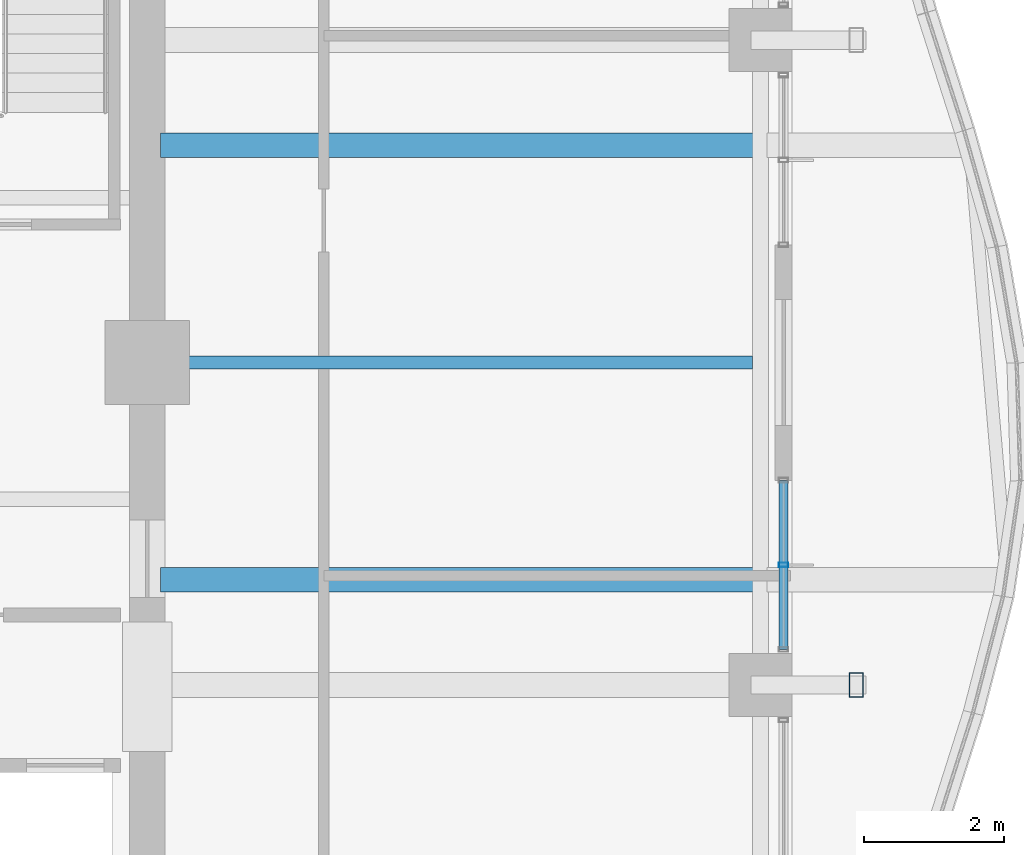
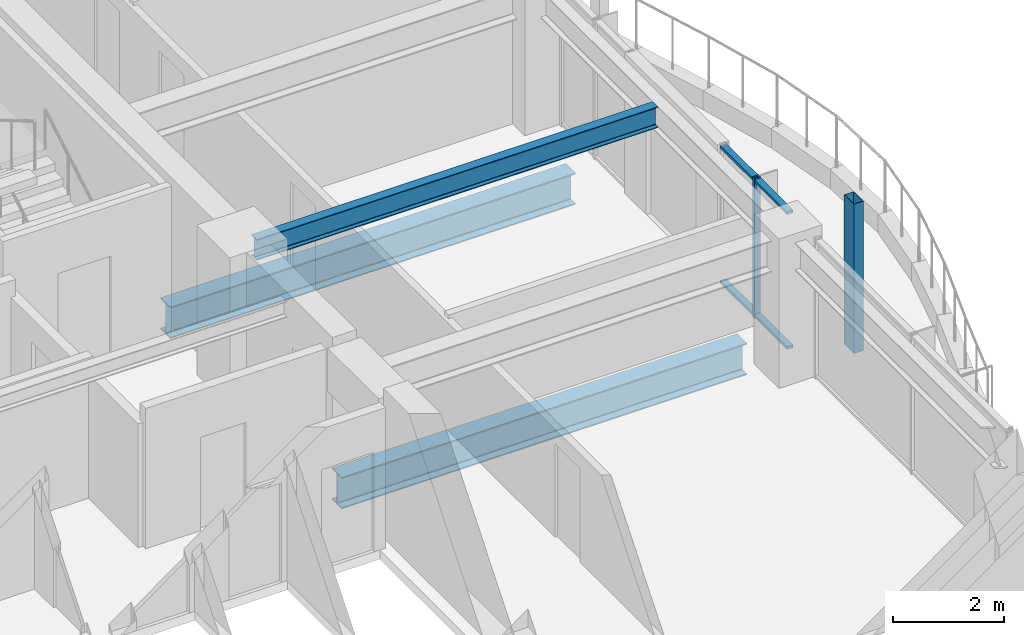
# One storey, part 16 of 35: 4 members, 3 beams, 1 element without a shape of its own.
"""IFC4 building model written with IfcOpenShell, lengths in metres."""

from ifc_helpers import new_model, si_unit, direction, frame, origin, origin_2d, place, context, subcontext, project, spatial, hollow_rectangle, i_section, extrude, material, material_profile, profile_set, type_object, element, aggregate, save


model = new_model("IFC4")

# Units and contexts
model_context = context("Model", 3, precision=1e-05, world=origin(), true_north=direction((0.0, 1.0)))
body_context = subcontext(model_context, "Body", "Model", "MODEL_VIEW")
ifc_project = project(units=[si_unit("LENGTHUNIT", "METRE"), si_unit("AREAUNIT", "SQUARE_METRE"), si_unit("VOLUMEUNIT", "CUBIC_METRE"), si_unit("PLANEANGLEUNIT", "RADIAN"), si_unit("MASSUNIT", "GRAM", prefix="KILO")], contexts=[model_context])

# Site, building, storey
site_placement = place(None, origin())
site = spatial("IfcSite", under=ifc_project, at=site_placement, CompositionType="ELEMENT")
building_placement = place(site_placement, origin())
building = spatial("IfcBuilding", under=site, at=building_placement, Name="Kolvaren Belvedere", CompositionType="ELEMENT")
storey_placement = place(building_placement, frame((0.0, 0.0, 163.5)))
storey = spatial("IfcBuildingStorey", under=building, at=storey_placement, Name="L47", CompositionType="ELEMENT", Elevation=163.5)

# Beams
ifc_material_1 = material(Name="Structural steel ASTM A992 Grade 50", Category="steel")
ifc_material_profile_1 = material_profile(ifc_material_1, i_section(OverallWidth=0.35498046875, OverallDepth=0.696044921875, WebThickness=0.015380859375, FlangeThickness=0.02490234375, FilletRadius=0.02197265625, at=origin_2d()), Name="W27X146")
ifc_profile_set_1 = profile_set([ifc_material_profile_1], Name="Structural steel ASTM A992 Grade 50")
beam_type_1 = type_object("IfcBeamType", Name="BM-GIRD-W27X146", PredefinedType="BEAM", material=ifc_profile_set_1)
for number, where, z_axis, x_axis, name in (
    (1, (10.090087890625, -3.10009765625, -0.548095703125), (1.0, 0.0, 0.0), (0.0, 1.0, 0.0), "L47 Balcony Interior Back-Span Girder BAL-E-1"),
    (2, (10.090087890625, 3.10009765625, -0.548095703125), (1.0, 0.0, 0.0), (0.0, 1.0, 0.0), "L47 Balcony Interior Back-Span Girder BAL-E-2"),
):
    element("IfcBeam", number, at=place(storey_placement, frame(where, z_axis=z_axis, x_axis=x_axis)), inside=storey, type_object=beam_type_1, Name=name, PredefinedType="BEAM", context=body_context, shape_type="SweptSolid", body=[
        extrude(i_section(OverallWidth=0.35498046875, OverallDepth=0.696044921875, WebThickness=0.015380859375, FlangeThickness=0.02490234375, FilletRadius=0.02197265625, at=origin_2d()), origin(), (0.0, 0.0, 1.0), 8.46484375),
    ])
ifc_material_2 = material(Name="Structural steel ASTM A992 Grade 50", Category="steel")
ifc_material_profile_2 = material_profile(ifc_material_2, i_section(OverallWidth=0.19091796875, OverallDepth=0.4599609375, WebThickness=0.010009765625, FlangeThickness=0.01611328125, FilletRadius=0.014892578125, at=origin_2d()), Name="W18X55")
ifc_profile_set_2 = profile_set([ifc_material_profile_2], Name="Structural steel ASTM A992 Grade 50")
beam_type_2 = type_object("IfcBeamType", Name="BM-JOIST-W18X55", PredefinedType="BEAM", material=ifc_profile_set_2)
beam_placement = place(storey_placement, frame((10.14990234375, 0.0, 2.8701171875), z_axis=(1.0, 0.0, 0.0), x_axis=(0.0, 1.0, 0.0)))
element("IfcBeam", 3, at=beam_placement, inside=storey, type_object=beam_type_2, Name="L47 East Centre Floor Beam", PredefinedType="BEAM", context=body_context, shape_type="SweptSolid", body=[
    extrude(i_section(OverallWidth=0.19091796875, OverallDepth=0.4599609375, WebThickness=0.010009765625, FlangeThickness=0.01611328125, FilletRadius=0.014892578125, at=origin_2d()), origin(), (0.0, 0.0, 1.0), 8.385498046875),
])

# Curtain wall, members
ifc_material_3 = material(Name="Anodised pale-metal aluminium AA 6063-T6", Category="aluminium")
curtain_wall_type = type_object("IfcCurtainWallType", Name="CW-Z3-WAIST", PredefinedType="NOTDEFINED", material=ifc_material_3)
curtain_wall_placement = place(storey_placement, origin())
curtain_wall = element("IfcCurtainWall", 4, at=curtain_wall_placement, inside=storey, type_object=curtain_wall_type, Name="L47 Unitised Curtain Wall FCW-L47-E2-B1", PredefinedType="NOTDEFINED")
ifc_material_4 = material(Name="Anodised pale-metal aluminium AA 6063-T6", Category="aluminium")
ifc_material_profile_3 = material_profile(ifc_material_4, hollow_rectangle(XDim=0.06494140625, YDim=0.1298828125, WallThickness=0.00390625, at=origin_2d()), Name="ALU-MUL-130X65")
ifc_profile_set_3 = profile_set([ifc_material_profile_3], Name="Anodised pale-metal aluminium AA 6063-T6")
member_type_1 = type_object("IfcMemberType", Name="CW-MUL-130", PredefinedType="MULLION", material=ifc_profile_set_3)
member_1_placement = place(storey_placement, frame((18.97998046875, -2.888671875, 0.0), z_axis=(0.0, 0.0, 1.0), x_axis=(0.0, 1.0, 0.0)))
member_1 = element("IfcMember", 5, at=member_1_placement, type_object=member_type_1, Name="FCW-L47-E2-B1 Unitised Mullion 2", PredefinedType="MULLION", context=body_context, shape_type="SweptSolid", body=[
    extrude(hollow_rectangle(XDim=0.06494140625, YDim=0.1298828125, WallThickness=0.00390625, at=origin_2d()), origin(), (0.0, 0.0, 1.0), 3.10009765625),
])
ifc_material_5 = material(Name="Anodised pale-metal aluminium AA 6063-T6", Category="aluminium")
ifc_material_profile_4 = material_profile(ifc_material_5, hollow_rectangle(XDim=0.06005859375, YDim=0.1298828125, WallThickness=0.00390625, at=origin_2d()), Name="ALU-TRN-130X60")
ifc_profile_set_4 = profile_set([ifc_material_profile_4], Name="Anodised pale-metal aluminium AA 6063-T6")
member_type_2 = type_object("IfcMemberType", Name="CW-TRN-130", PredefinedType="USERDEFINED", material=ifc_profile_set_4)
member_2_placement = place(storey_placement, frame((18.97998046875, -1.679931640625, 0.06005859375), z_axis=(0.0, -1.0, 0.0), x_axis=(0.0, 0.0, 1.0)))
member_2 = element("IfcMember", 6, at=member_2_placement, type_object=member_type_2, Name="FCW-L47-E2-B1 Sill Transom", ObjectType="TRANSOM", PredefinedType="USERDEFINED", context=body_context, shape_type="SweptSolid", body=[
    extrude(hollow_rectangle(XDim=0.06005859375, YDim=0.1298828125, WallThickness=0.00390625, at=origin_2d()), origin(), (0.0, 0.0, 1.0), 2.41748046875),
])
member_3_placement = place(storey_placement, frame((18.97998046875, -1.679931640625, 3.0400390625), z_axis=(0.0, -1.0, 0.0), x_axis=(0.0, 0.0, 1.0)))
member_3 = element("IfcMember", 7, at=member_3_placement, type_object=member_type_2, Name="FCW-L47-E2-B1 Head Transom", ObjectType="TRANSOM", PredefinedType="USERDEFINED", context=body_context, shape_type="SweptSolid", body=[
    extrude(hollow_rectangle(XDim=0.06005859375, YDim=0.1298828125, WallThickness=0.00390625, at=origin_2d()), origin(), (0.0, 0.0, 1.0), 2.41748046875),
])
aggregate(curtain_wall, [member_1, member_2, member_3])

# Member
ifc_material_6 = material(Name="Anodised pale-metal aluminium AA 6063-T6", Category="aluminium")
ifc_material_profile_5 = material_profile(ifc_material_6, hollow_rectangle(XDim=0.199951171875, YDim=0.35009765625, WallThickness=0.007568359375, at=origin_2d()), Name="ALU-PF-350X200")
ifc_profile_set_5 = profile_set([ifc_material_profile_5], Name="Anodised pale-metal aluminium AA 6063-T6")
member_type_3 = type_object("IfcMemberType", Name="PF-FRAME-350", PredefinedType="USERDEFINED", material=ifc_profile_set_5)
member_4_placement = place(storey_placement, frame((20.02001953125, -4.60009765625, 0.0), z_axis=(0.0, 0.0, 1.0), x_axis=(1.0, 0.0, 0.0)))
element("IfcMember", 8, at=member_4_placement, inside=storey, type_object=member_type_3, Name="L47 Outboard Picture-Frame Vertical E2", ObjectType="PICTURE FRAME FIN", PredefinedType="USERDEFINED", context=body_context, shape_type="SweptSolid", body=[
    extrude(hollow_rectangle(XDim=0.199951171875, YDim=0.35009765625, WallThickness=0.007568359375, at=origin_2d()), origin(), (0.0, 0.0, 1.0), 3.300048828125),
])

save(model, "model.ifc")
